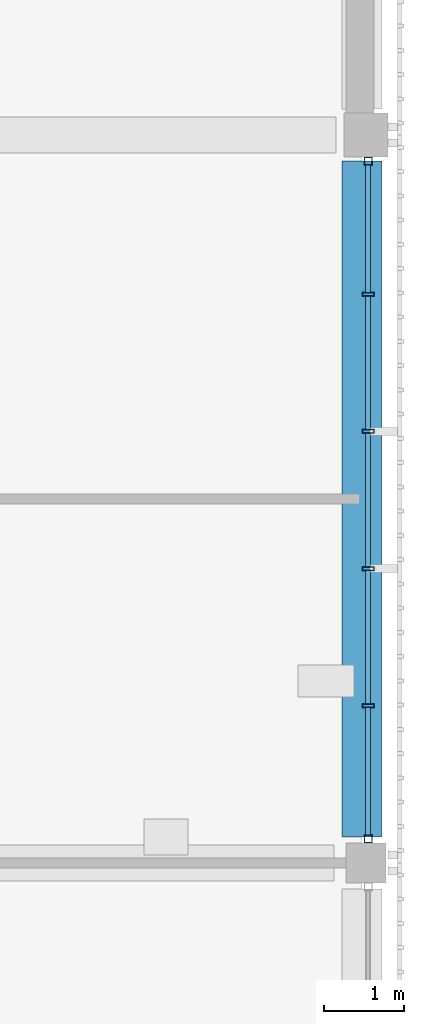
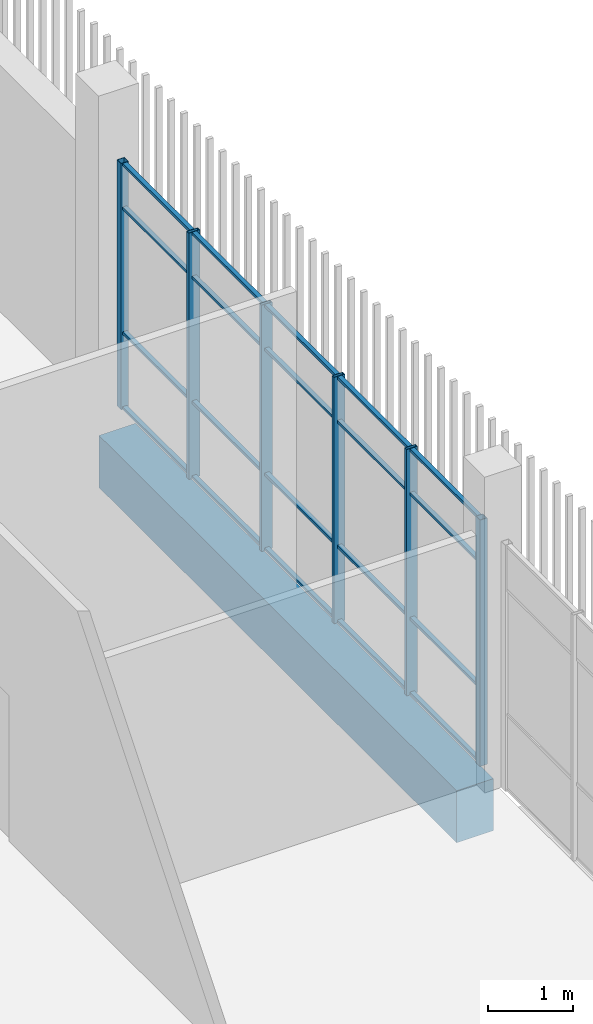
# One storey, part 61 of 139: 26 members, 1 beam, 1 element without a shape of its own.
"""IFC4 building model written with IfcOpenShell, lengths in metres."""

import ifcopenshell
import ifcopenshell.guid

model = None  # the IFC model being written
_history = None  # IfcOwnerHistory: only IFC2X3 demands one
_inside = {}  # id of a spatial element -> (the spatial element, [elements in it])
_under = {}  # id of a project, library or spatial element -> (it, [spatial elements below it])
_declared = {}  # id of a project -> (the project, [libraries it declares])
_typed = {}  # id of a type object -> (the type object, [elements of that type])
_made_of = {}  # id of a material, layer set ... -> (it, [elements and type objects made of it])


def new_model(schema):
    """Start an empty IFC model of exactly this schema.

    Asked for "IFC4X3", IfcOpenShell would pick the latest addendum, in which some entities
    have other attributes; the version numbers below select the first issue.
    IFC2X3 requires an IfcOwnerHistory on every rooted entity: one is made here for all.
    """
    global model, _history
    if schema == "IFC4X3":
        model = ifcopenshell.file(schema_version=(4, 3, 0, 0))
    else:
        model = ifcopenshell.file(schema=schema)
    _inside.clear()
    _under.clear()
    _declared.clear()
    _typed.clear()
    _made_of.clear()
    _history = None
    if model.schema == "IFC2X3":
        org = make("IfcOrganization", Name="unknown")
        user = make(
            "IfcPersonAndOrganization",
            ThePerson=make("IfcPerson", FamilyName="unknown"),
            TheOrganization=org,
        )
        app = make(
            "IfcApplication",
            ApplicationDeveloper=org,
            Version="unknown",
            ApplicationFullName="unknown",
            ApplicationIdentifier="unknown",
        )
        _history = make(
            "IfcOwnerHistory",
            OwningUser=user,
            OwningApplication=app,
            ChangeAction="ADDED",
            CreationDate=0,
        )
    return model


def make(cls, **values):
    """One entity of the class cls with the attributes given. An attribute that is None is left unset."""
    return model.create_entity(
        cls, **{name: value for name, value in values.items() if value is not None}
    )


def rooted(cls, **values):
    """An entity with a GlobalId (a new one), such as an element, a storey or a relation."""
    return make(cls, GlobalId=ifcopenshell.guid.new(), OwnerHistory=_history, **values)


def si_unit(unit_type, name, prefix=None):
    """IfcSIUnit, for example si_unit("LENGTHUNIT", "METRE", prefix="MILLI")."""
    return make("IfcSIUnit", UnitType=unit_type, Prefix=prefix, Name=name)


def assignment(units):
    """IfcUnitAssignment: the units of a project."""
    return None if units is None else make("IfcUnitAssignment", Units=units)


def point(xyz):
    """IfcCartesianPoint."""
    return None if xyz is None else make("IfcCartesianPoint", Coordinates=xyz)


def direction(xyz):
    """IfcDirection."""
    return None if xyz is None else make("IfcDirection", DirectionRatios=xyz)


def frame(location, z_axis=None, x_axis=None):
    """IfcAxis2Placement3D, a coordinate frame: its origin and axes. An axis left out is left unset."""
    return make(
        "IfcAxis2Placement3D",
        Location=point(location),
        Axis=direction(z_axis),
        RefDirection=direction(x_axis),
    )


def frame_2d(location, x_axis=None):
    """IfcAxis2Placement2D, a coordinate frame in the plane: its origin and x axis."""
    return make(
        "IfcAxis2Placement2D", Location=point(location), RefDirection=direction(x_axis)
    )


def origin():
    """The frame at (0, 0, 0) with its axes left unset."""
    return frame((0.0, 0.0, 0.0))


def origin_2d():
    """The frame at (0, 0) in the plane with its x axis left unset."""
    return frame_2d((0.0, 0.0))


def place(relative_to, where):
    """IfcLocalPlacement: puts the frame where relative to a parent placement (None: the world)."""
    return make(
        "IfcLocalPlacement", PlacementRelTo=relative_to, RelativePlacement=where
    )


def context(
    kind, dimensions, precision=None, world=None, true_north=None, identifier=None
):
    """IfcGeometricRepresentationContext, for example the 3D "Model" context."""
    return make(
        "IfcGeometricRepresentationContext",
        ContextIdentifier=identifier,
        ContextType=kind,
        CoordinateSpaceDimension=dimensions,
        Precision=precision,
        WorldCoordinateSystem=world,
        TrueNorth=true_north,
    )


def subcontext(parent, identifier, kind, view, scale=None):
    """IfcGeometricRepresentationSubContext, for example "Body" below "Model"."""
    return make(
        "IfcGeometricRepresentationSubContext",
        ContextIdentifier=identifier,
        ContextType=kind,
        ParentContext=parent,
        TargetScale=scale,
        TargetView=view,
    )


def project(units=None, contexts=None):
    """IfcProject with its units and contexts."""
    return rooted(
        "IfcProject",
        Name="project",
        RepresentationContexts=contexts,
        UnitsInContext=assignment(units),
    )


def spatial(cls, under=None, at=None, **own):
    """A site, building, storey or space (cls), placed at a placement, below another one or the project."""
    s = rooted(cls, ObjectPlacement=at, **own)
    if under is not None:
        _under.setdefault(under.id(), (under, []))[1].append(s)
    return s


def profile(cls, at=None, kind="AREA", **sizes):
    """A parametric profile (cls). Its sizes go by their IFC names, for example OverallWidth=200.0."""
    return make(cls, ProfileType=kind, Position=at, **sizes)


def rectangle(**sizes):
    """IfcRectangleProfileDef."""
    return profile("IfcRectangleProfileDef", **sizes)


def hollow_rectangle(**sizes):
    """IfcRectangleHollowProfileDef."""
    return profile("IfcRectangleHollowProfileDef", **sizes)


def extrude(swept, where, along, depth):
    """IfcExtrudedAreaSolid: the profile swept, set in the frame where, extruded along a direction by depth."""
    return make(
        "IfcExtrudedAreaSolid",
        SweptArea=swept,
        Position=where,
        ExtrudedDirection=direction(along),
        Depth=depth,
    )


def shape(context_of_items, identifier, shape_type, items):
    """IfcShapeRepresentation: the items that make up one representation, for example the "Body"."""
    return make(
        "IfcShapeRepresentation",
        ContextOfItems=context_of_items,
        RepresentationIdentifier=identifier,
        RepresentationType=shape_type,
        Items=items,
    )


def material(Name=None, Category=None):
    """IfcMaterial."""
    return make("IfcMaterial", Name=Name, Category=Category)


def layer(
    of_material, thickness, ventilated=None, Name=None, Category=None, Priority=None
):
    """IfcMaterialLayer: one layer of a wall or slab, of a material (None: an air gap)."""
    return make(
        "IfcMaterialLayer",
        Material=of_material,
        LayerThickness=thickness,
        IsVentilated=ventilated,
        Name=Name,
        Category=Category,
        Priority=Priority,
    )


def layer_set(layers, Name=None):
    """IfcMaterialLayerSet."""
    return make("IfcMaterialLayerSet", MaterialLayers=layers, LayerSetName=Name)


def material_profile(
    of_material, cross_section, Name=None, Category=None, Priority=None
):
    """IfcMaterialProfile: a cross section and its material."""
    return make(
        "IfcMaterialProfile",
        Name=Name,
        Material=of_material,
        Profile=cross_section,
        Priority=Priority,
        Category=Category,
    )


def profile_set(profiles, Name=None, composite=None):
    """IfcMaterialProfileSet."""
    return make(
        "IfcMaterialProfileSet",
        Name=Name,
        MaterialProfiles=profiles,
        CompositeProfile=composite,
    )


def made_of(thing, what):
    """Note that an element or type object is made of a material, layer set ...; save() writes the relation."""
    if what is not None:
        _made_of.setdefault(what.id(), (what, []))[1].append(thing)
    return thing


def type_object(cls, material=None, **own):
    """A type object (cls), such as IfcWallType, which elements share."""
    return made_of(rooted(cls, **own), material)


def element(
    cls,
    number,
    at=None,
    inside=None,
    cuts=None,
    type_object=None,
    material=None,
    context=None,
    identifier="Body",
    shape_type=None,
    held_by="IfcProductDefinitionShape",
    body=None,
    shapes=None,
    **own,
):
    """One element of the class cls, such as IfcWall. Its Tag is "e" and its number.

    at: its placement. inside: the storey or other place that contains it. cuts: it is an
    opening in that element (IfcRelVoidsElement). A single representation is given by context,
    identifier, shape_type and body (its items); several are given by shapes. held_by: the class
    of the entity that holds the representations. save() writes the other relations.
    """
    e = rooted(cls, Tag="e%d" % number, ObjectPlacement=at, **own)
    if body is not None:
        shapes = [shape(context, identifier, shape_type, body)]
    if shapes is not None:
        e.Representation = make(held_by, Representations=shapes)
    if inside is not None:
        _inside.setdefault(inside.id(), (inside, []))[1].append(e)
    if cuts is not None:
        rooted(
            "IfcRelVoidsElement", RelatingBuildingElement=cuts, RelatedOpeningElement=e
        )
    if type_object is not None:
        _typed.setdefault(type_object.id(), (type_object, []))[1].append(e)
    return made_of(e, material)


def aggregate(whole, parts):
    """IfcRelAggregates: a whole, such as a stair, and the parts it consists of."""
    return rooted("IfcRelAggregates", RelatingObject=whole, RelatedObjects=parts)


def save(model, path):
    """Write the relations noted so far, then the file.

    IfcRelAggregates (storeys below a building ...), IfcRelContainedInSpatialStructure (elements
    in a storey), IfcRelDefinesByType, IfcRelAssociatesMaterial and IfcRelDeclares: one each for
    every whole, place, type object, material and project.
    """
    for whole, parts in _under.values():
        aggregate(whole, parts)
    for where, things in _inside.values():
        rooted(
            "IfcRelContainedInSpatialStructure",
            RelatedElements=things,
            RelatingStructure=where,
        )
    for kind, things in _typed.values():
        rooted("IfcRelDefinesByType", RelatedObjects=things, RelatingType=kind)
    for what, things in _made_of.values():
        rooted("IfcRelAssociatesMaterial", RelatedObjects=things, RelatingMaterial=what)
    for by, libraries in _declared.values():
        rooted("IfcRelDeclares", RelatingContext=by, RelatedDefinitions=libraries)
    model.write(path)


model = new_model("IFC4")

# Units and contexts
model_context = context("Model", 3, precision=1e-05, world=origin(), true_north=direction((0.0, 1.0)))
body_context = subcontext(model_context, "Body", "Model", "MODEL_VIEW")
ifc_project = project(units=[si_unit("LENGTHUNIT", "METRE"), si_unit("AREAUNIT", "SQUARE_METRE"), si_unit("VOLUMEUNIT", "CUBIC_METRE"), si_unit("PLANEANGLEUNIT", "RADIAN"), si_unit("MASSUNIT", "GRAM", prefix="KILO")], contexts=[model_context])

# Site, building, storey
site_placement = place(None, origin())
site = spatial("IfcSite", under=ifc_project, at=site_placement, CompositionType="ELEMENT")
building_placement = place(site_placement, origin())
building = spatial("IfcBuilding", under=site, at=building_placement, Name="Shirokan Park Arena", CompositionType="ELEMENT")
storey_placement = place(building_placement, frame((0.0, 0.0, 15.469970703125)))
storey = spatial("IfcBuildingStorey", under=building, at=storey_placement, Name="L03", CompositionType="ELEMENT", Elevation=15.469970703125)

# Curtain wall, members
ifc_material_1 = material(Name="Steel and glass curtain wall", Category="steel")
ifc_layer = layer(ifc_material_1, 0.14990234375)
ifc_layer_set = layer_set([ifc_layer], Name="Steel and glass curtain wall 150 mm")
curtain_wall_type = type_object("IfcCurtainWallType", Name="Curtain wall exposed bay 150", PredefinedType="NOTDEFINED", material=ifc_layer_set)
curtain_wall_placement = place(storey_placement, origin())
curtain_wall = element("IfcCurtainWall", 1, at=curtain_wall_placement, inside=storey, type_object=curtain_wall_type, Name="Curtain wall east bay 8 L03", PredefinedType="NOTDEFINED")
ifc_material_2 = material(Name="Steel S355", Category="steel")
ifc_material_profile_1 = material_profile(ifc_material_2, hollow_rectangle(XDim=0.10009765625, YDim=0.10009765625, WallThickness=0.006103515625, at=origin_2d()), Name="RHS 100x100x6")
ifc_profile_set_1 = profile_set([ifc_material_profile_1], Name="Steel S355")
member_type_1 = type_object("IfcMemberType", Name="Mullion RHS 100x100x6", PredefinedType="MULLION", material=ifc_profile_set_1)
member_1_placement = place(storey_placement, frame((145.675048828125, 64.0, 0.0), z_axis=(0.0, 0.0, 1.0), x_axis=(-1.0, 0.0, 0.0)))
member_1 = element("IfcMember", 2, at=member_1_placement, type_object=member_type_1, Name="CW1 mullion 1", PredefinedType="MULLION", context=body_context, shape_type="SweptSolid", body=[
    extrude(hollow_rectangle(XDim=0.10009765625, YDim=0.10009765625, WallThickness=0.006103515625, at=origin_2d()), origin(), (0.0, 0.0, 1.0), 3.550048828125),
])
member_2_placement = place(storey_placement, frame((145.675048828125, 72.47509765625, 0.0), z_axis=(0.0, 0.0, 1.0), x_axis=(-1.0, 0.0, 0.0)))
member_2 = element("IfcMember", 3, at=member_2_placement, type_object=member_type_1, Name="CW1 mullion 6", PredefinedType="MULLION", context=body_context, shape_type="SweptSolid", body=[
    extrude(hollow_rectangle(XDim=0.10009765625, YDim=0.10009765625, WallThickness=0.006103515625, at=origin_2d()), origin(), (0.0, 0.0, 1.0), 3.550048828125),
])
ifc_material_profile_2 = material_profile(ifc_material_2, hollow_rectangle(XDim=0.14990234375, YDim=0.050048828125, WallThickness=0.006103515625, at=origin_2d()), Name="RHS 150x50x6")
ifc_profile_set_2 = profile_set([ifc_material_profile_2], Name="Steel S355")
member_type_2 = type_object("IfcMemberType", Name="Mullion RHS 150x50x6", PredefinedType="MULLION", material=ifc_profile_set_2)
member_3_placement = place(storey_placement, frame((145.675048828125, 65.6650390625, 0.0), z_axis=(0.0, 0.0, 1.0), x_axis=(-1.0, 0.0, 0.0)))
member_3 = element("IfcMember", 4, at=member_3_placement, type_object=member_type_2, Name="CW1 mullion 2", PredefinedType="MULLION", context=body_context, shape_type="SweptSolid", body=[
    extrude(hollow_rectangle(XDim=0.14990234375, YDim=0.050048828125, WallThickness=0.006103515625, at=origin_2d()), origin(), (0.0, 0.0, 1.0), 3.550048828125),
])
member_4_placement = place(storey_placement, frame((145.675048828125, 67.3798828125, 0.0), z_axis=(0.0, 0.0, 1.0), x_axis=(-1.0, 0.0, 0.0)))
member_4 = element("IfcMember", 5, at=member_4_placement, type_object=member_type_2, Name="CW1 mullion 3", PredefinedType="MULLION", context=body_context, shape_type="SweptSolid", body=[
    extrude(hollow_rectangle(XDim=0.14990234375, YDim=0.050048828125, WallThickness=0.006103515625, at=origin_2d()), origin(), (0.0, 0.0, 1.0), 3.550048828125),
])
member_5_placement = place(storey_placement, frame((145.675048828125, 69.094970703125, 0.0), z_axis=(0.0, 0.0, 1.0), x_axis=(-1.0, 0.0, 0.0)))
member_5 = element("IfcMember", 6, at=member_5_placement, type_object=member_type_2, Name="CW1 mullion 4", PredefinedType="MULLION", context=body_context, shape_type="SweptSolid", body=[
    extrude(hollow_rectangle(XDim=0.14990234375, YDim=0.050048828125, WallThickness=0.006103515625, at=origin_2d()), origin(), (0.0, 0.0, 1.0), 3.550048828125),
])
member_6_placement = place(storey_placement, frame((145.675048828125, 70.81005859375, 0.0), z_axis=(0.0, 0.0, 1.0), x_axis=(-1.0, 0.0, 0.0)))
member_6 = element("IfcMember", 7, at=member_6_placement, type_object=member_type_2, Name="CW1 mullion 5", PredefinedType="MULLION", context=body_context, shape_type="SweptSolid", body=[
    extrude(hollow_rectangle(XDim=0.14990234375, YDim=0.050048828125, WallThickness=0.006103515625, at=origin_2d()), origin(), (0.0, 0.0, 1.0), 3.550048828125),
])

# Beam
ifc_material_3 = material(Name="Concrete C35", Category="concrete")
ifc_material_profile_3 = material_profile(ifc_material_3, rectangle(XDim=0.5, YDim=0.75, at=origin_2d()), Name="500x750")
ifc_profile_set_3 = profile_set([ifc_material_profile_3], Name="Concrete C35")
beam_type = type_object("IfcBeamType", Name="RC girder 500x750", PredefinedType="BEAM", material=ifc_profile_set_3)
beam_placement = place(storey_placement, frame((145.60009765625, 64.025146484375, -0.675048828125), z_axis=(0.0, 1.0, 0.0), x_axis=(-1.0, 0.0, 0.0)))
element("IfcBeam", 8, at=beam_placement, inside=storey, type_object=beam_type, Name="Girder 17H-17J L03", PredefinedType="BEAM", context=body_context, shape_type="SweptSolid", body=[
    extrude(rectangle(XDim=0.5, YDim=0.75, at=origin_2d()), origin(), (0.0, 0.0, 1.0), 8.44970703125),
])

# Member
ifc_material_profile_4 = material_profile(ifc_material_2, hollow_rectangle(XDim=0.06005859375, YDim=0.0400390625, WallThickness=0.00390625, at=origin_2d()), Name="RHS 60x40x4")
ifc_profile_set_4 = profile_set([ifc_material_profile_4], Name="Steel S355")
member_type_3 = type_object("IfcMemberType", Name="Transom RHS 60x40x4", PredefinedType="MULLION", material=ifc_profile_set_4)
member_7_placement = place(storey_placement, frame((145.675048828125, 64.050048828125, 0.02001953125), z_axis=(0.0, 1.0, 0.0), x_axis=(-1.0, 0.0, 0.0)))
member_7 = element("IfcMember", 9, at=member_7_placement, type_object=member_type_3, Name="CW1 transom 1.1", PredefinedType="MULLION", context=body_context, shape_type="SweptSolid", body=[
    extrude(hollow_rectangle(XDim=0.06005859375, YDim=0.0400390625, WallThickness=0.00390625, at=origin_2d()), origin(), (0.0, 0.0, 1.0), 1.58984375),
])

member_8_placement = place(storey_placement, frame((145.675048828125, 64.050048828125, 1.10009765625), z_axis=(0.0, 1.0, 0.0), x_axis=(-1.0, 0.0, 0.0)))
member_8 = element("IfcMember", 10, at=member_8_placement, type_object=member_type_3, Name="CW1 transom 1.2", PredefinedType="MULLION", context=body_context, shape_type="SweptSolid", body=[
    extrude(hollow_rectangle(XDim=0.06005859375, YDim=0.0400390625, WallThickness=0.00390625, at=origin_2d()), origin(), (0.0, 0.0, 1.0), 1.58984375),
])

member_9_placement = place(storey_placement, frame((145.675048828125, 64.050048828125, 2.900146484375), z_axis=(0.0, 1.0, 0.0), x_axis=(-1.0, 0.0, 0.0)))
member_9 = element("IfcMember", 11, at=member_9_placement, type_object=member_type_3, Name="CW1 transom 1.3", PredefinedType="MULLION", context=body_context, shape_type="SweptSolid", body=[
    extrude(hollow_rectangle(XDim=0.06005859375, YDim=0.0400390625, WallThickness=0.00390625, at=origin_2d()), origin(), (0.0, 0.0, 1.0), 1.58984375),
])

member_10_placement = place(storey_placement, frame((145.675048828125, 64.050048828125, 3.530029296875), z_axis=(0.0, 1.0, 0.0), x_axis=(-1.0, 0.0, 0.0)))
member_10 = element("IfcMember", 12, at=member_10_placement, type_object=member_type_3, Name="CW1 transom 1.4", PredefinedType="MULLION", context=body_context, shape_type="SweptSolid", body=[
    extrude(hollow_rectangle(XDim=0.06005859375, YDim=0.0400390625, WallThickness=0.00390625, at=origin_2d()), origin(), (0.0, 0.0, 1.0), 1.58984375),
])

member_11_placement = place(storey_placement, frame((145.675048828125, 65.68994140625, 0.02001953125), z_axis=(0.0, 1.0, 0.0), x_axis=(-1.0, 0.0, 0.0)))
member_11 = element("IfcMember", 13, at=member_11_placement, type_object=member_type_3, Name="CW1 transom 2.1", PredefinedType="MULLION", context=body_context, shape_type="SweptSolid", body=[
    extrude(hollow_rectangle(XDim=0.06005859375, YDim=0.0400390625, WallThickness=0.00390625, at=origin_2d()), origin(), (0.0, 0.0, 1.0), 1.6650390625),
])

member_12_placement = place(storey_placement, frame((145.675048828125, 65.68994140625, 1.10009765625), z_axis=(0.0, 1.0, 0.0), x_axis=(-1.0, 0.0, 0.0)))
member_12 = element("IfcMember", 14, at=member_12_placement, type_object=member_type_3, Name="CW1 transom 2.2", PredefinedType="MULLION", context=body_context, shape_type="SweptSolid", body=[
    extrude(hollow_rectangle(XDim=0.06005859375, YDim=0.0400390625, WallThickness=0.00390625, at=origin_2d()), origin(), (0.0, 0.0, 1.0), 1.6650390625),
])

member_13_placement = place(storey_placement, frame((145.675048828125, 65.68994140625, 2.900146484375), z_axis=(0.0, 1.0, 0.0), x_axis=(-1.0, 0.0, 0.0)))
member_13 = element("IfcMember", 15, at=member_13_placement, type_object=member_type_3, Name="CW1 transom 2.3", PredefinedType="MULLION", context=body_context, shape_type="SweptSolid", body=[
    extrude(hollow_rectangle(XDim=0.06005859375, YDim=0.0400390625, WallThickness=0.00390625, at=origin_2d()), origin(), (0.0, 0.0, 1.0), 1.6650390625),
])

member_14_placement = place(storey_placement, frame((145.675048828125, 65.68994140625, 3.530029296875), z_axis=(0.0, 1.0, 0.0), x_axis=(-1.0, 0.0, 0.0)))
member_14 = element("IfcMember", 16, at=member_14_placement, type_object=member_type_3, Name="CW1 transom 2.4", PredefinedType="MULLION", context=body_context, shape_type="SweptSolid", body=[
    extrude(hollow_rectangle(XDim=0.06005859375, YDim=0.0400390625, WallThickness=0.00390625, at=origin_2d()), origin(), (0.0, 0.0, 1.0), 1.6650390625),
])

member_15_placement = place(storey_placement, frame((145.675048828125, 67.405029296875, 0.02001953125), z_axis=(0.0, 1.0, 0.0), x_axis=(-1.0, 0.0, 0.0)))
member_15 = element("IfcMember", 17, at=member_15_placement, type_object=member_type_3, Name="CW1 transom 3.1", PredefinedType="MULLION", context=body_context, shape_type="SweptSolid", body=[
    extrude(hollow_rectangle(XDim=0.06005859375, YDim=0.0400390625, WallThickness=0.00390625, at=origin_2d()), origin(), (0.0, 0.0, 1.0), 1.6650390625),
])

member_16_placement = place(storey_placement, frame((145.675048828125, 67.405029296875, 1.10009765625), z_axis=(0.0, 1.0, 0.0), x_axis=(-1.0, 0.0, 0.0)))
member_16 = element("IfcMember", 18, at=member_16_placement, type_object=member_type_3, Name="CW1 transom 3.2", PredefinedType="MULLION", context=body_context, shape_type="SweptSolid", body=[
    extrude(hollow_rectangle(XDim=0.06005859375, YDim=0.0400390625, WallThickness=0.00390625, at=origin_2d()), origin(), (0.0, 0.0, 1.0), 1.6650390625),
])

member_17_placement = place(storey_placement, frame((145.675048828125, 67.405029296875, 2.900146484375), z_axis=(0.0, 1.0, 0.0), x_axis=(-1.0, 0.0, 0.0)))
member_17 = element("IfcMember", 19, at=member_17_placement, type_object=member_type_3, Name="CW1 transom 3.3", PredefinedType="MULLION", context=body_context, shape_type="SweptSolid", body=[
    extrude(hollow_rectangle(XDim=0.06005859375, YDim=0.0400390625, WallThickness=0.00390625, at=origin_2d()), origin(), (0.0, 0.0, 1.0), 1.6650390625),
])

member_18_placement = place(storey_placement, frame((145.675048828125, 67.405029296875, 3.530029296875), z_axis=(0.0, 1.0, 0.0), x_axis=(-1.0, 0.0, 0.0)))
member_18 = element("IfcMember", 20, at=member_18_placement, type_object=member_type_3, Name="CW1 transom 3.4", PredefinedType="MULLION", context=body_context, shape_type="SweptSolid", body=[
    extrude(hollow_rectangle(XDim=0.06005859375, YDim=0.0400390625, WallThickness=0.00390625, at=origin_2d()), origin(), (0.0, 0.0, 1.0), 1.6650390625),
])

member_19_placement = place(storey_placement, frame((145.675048828125, 69.1201171875, 0.02001953125), z_axis=(0.0, 1.0, 0.0), x_axis=(-1.0, 0.0, 0.0)))
member_19 = element("IfcMember", 21, at=member_19_placement, type_object=member_type_3, Name="CW1 transom 4.1", PredefinedType="MULLION", context=body_context, shape_type="SweptSolid", body=[
    extrude(hollow_rectangle(XDim=0.06005859375, YDim=0.0400390625, WallThickness=0.00390625, at=origin_2d()), origin(), (0.0, 0.0, 1.0), 1.664794921875),
])

member_20_placement = place(storey_placement, frame((145.675048828125, 69.1201171875, 1.10009765625), z_axis=(0.0, 1.0, 0.0), x_axis=(-1.0, 0.0, 0.0)))
member_20 = element("IfcMember", 22, at=member_20_placement, type_object=member_type_3, Name="CW1 transom 4.2", PredefinedType="MULLION", context=body_context, shape_type="SweptSolid", body=[
    extrude(hollow_rectangle(XDim=0.06005859375, YDim=0.0400390625, WallThickness=0.00390625, at=origin_2d()), origin(), (0.0, 0.0, 1.0), 1.664794921875),
])

member_21_placement = place(storey_placement, frame((145.675048828125, 69.1201171875, 2.900146484375), z_axis=(0.0, 1.0, 0.0), x_axis=(-1.0, 0.0, 0.0)))
member_21 = element("IfcMember", 23, at=member_21_placement, type_object=member_type_3, Name="CW1 transom 4.3", PredefinedType="MULLION", context=body_context, shape_type="SweptSolid", body=[
    extrude(hollow_rectangle(XDim=0.06005859375, YDim=0.0400390625, WallThickness=0.00390625, at=origin_2d()), origin(), (0.0, 0.0, 1.0), 1.664794921875),
])

member_22_placement = place(storey_placement, frame((145.675048828125, 69.1201171875, 3.530029296875), z_axis=(0.0, 1.0, 0.0), x_axis=(-1.0, 0.0, 0.0)))
member_22 = element("IfcMember", 24, at=member_22_placement, type_object=member_type_3, Name="CW1 transom 4.4", PredefinedType="MULLION", context=body_context, shape_type="SweptSolid", body=[
    extrude(hollow_rectangle(XDim=0.06005859375, YDim=0.0400390625, WallThickness=0.00390625, at=origin_2d()), origin(), (0.0, 0.0, 1.0), 1.664794921875),
])

member_23_placement = place(storey_placement, frame((145.675048828125, 70.8349609375, 0.02001953125), z_axis=(0.0, 1.0, 0.0), x_axis=(-1.0, 0.0, 0.0)))
member_23 = element("IfcMember", 25, at=member_23_placement, type_object=member_type_3, Name="CW1 transom 5.1", PredefinedType="MULLION", context=body_context, shape_type="SweptSolid", body=[
    extrude(hollow_rectangle(XDim=0.06005859375, YDim=0.0400390625, WallThickness=0.00390625, at=origin_2d()), origin(), (0.0, 0.0, 1.0), 1.590087890625),
])

member_24_placement = place(storey_placement, frame((145.675048828125, 70.8349609375, 1.10009765625), z_axis=(0.0, 1.0, 0.0), x_axis=(-1.0, 0.0, 0.0)))
member_24 = element("IfcMember", 26, at=member_24_placement, type_object=member_type_3, Name="CW1 transom 5.2", PredefinedType="MULLION", context=body_context, shape_type="SweptSolid", body=[
    extrude(hollow_rectangle(XDim=0.06005859375, YDim=0.0400390625, WallThickness=0.00390625, at=origin_2d()), origin(), (0.0, 0.0, 1.0), 1.590087890625),
])

member_25_placement = place(storey_placement, frame((145.675048828125, 70.8349609375, 2.900146484375), z_axis=(0.0, 1.0, 0.0), x_axis=(-1.0, 0.0, 0.0)))
member_25 = element("IfcMember", 27, at=member_25_placement, type_object=member_type_3, Name="CW1 transom 5.3", PredefinedType="MULLION", context=body_context, shape_type="SweptSolid", body=[
    extrude(hollow_rectangle(XDim=0.06005859375, YDim=0.0400390625, WallThickness=0.00390625, at=origin_2d()), origin(), (0.0, 0.0, 1.0), 1.590087890625),
])

member_26_placement = place(storey_placement, frame((145.675048828125, 70.8349609375, 3.530029296875), z_axis=(0.0, 1.0, 0.0), x_axis=(-1.0, 0.0, 0.0)))
member_26 = element("IfcMember", 28, at=member_26_placement, type_object=member_type_3, Name="CW1 transom 5.4", PredefinedType="MULLION", context=body_context, shape_type="SweptSolid", body=[
    extrude(hollow_rectangle(XDim=0.06005859375, YDim=0.0400390625, WallThickness=0.00390625, at=origin_2d()), origin(), (0.0, 0.0, 1.0), 1.590087890625),
])

aggregate(curtain_wall, [member_1, member_3, member_4, member_5, member_6, member_2, member_7, member_8, member_9, member_10, member_11, member_12, member_13, member_14, member_15, member_16, member_17, member_18, member_19, member_20, member_21, member_22, member_23, member_24, member_25, member_26])

save(model, "model.ifc")
